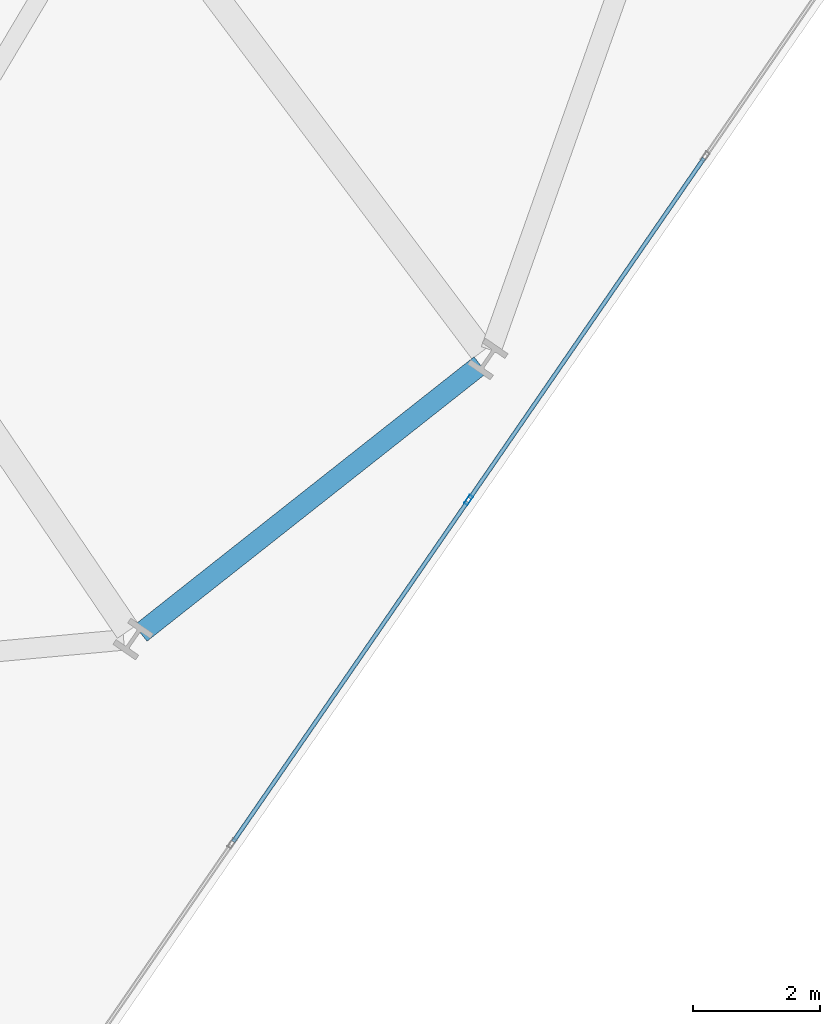
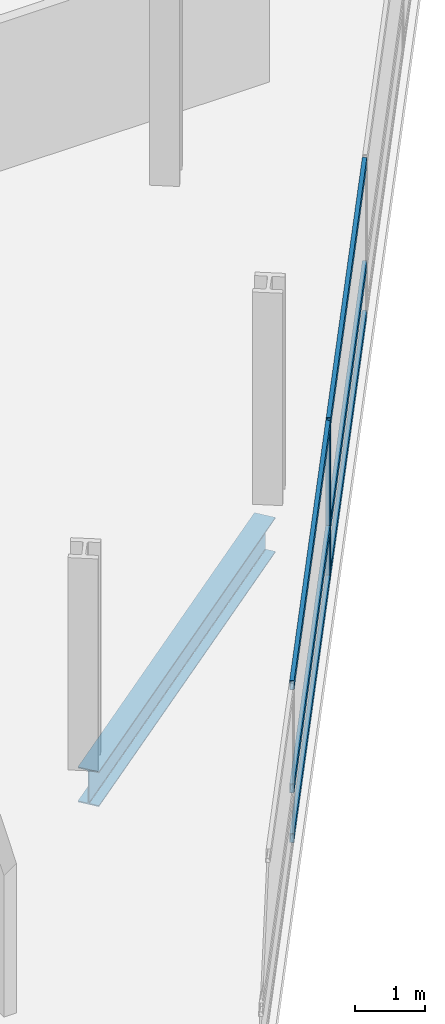
# One storey, part 9 of 26: 7 members, 1 beam, 1 element without a shape of its own.
"""IFC4 building model written with IfcOpenShell, lengths in metres."""

import ifcopenshell
import ifcopenshell.guid

model = None  # the IFC model being written
_history = None  # IfcOwnerHistory: only IFC2X3 demands one
_inside = {}  # id of a spatial element -> (the spatial element, [elements in it])
_under = {}  # id of a project, library or spatial element -> (it, [spatial elements below it])
_declared = {}  # id of a project -> (the project, [libraries it declares])
_typed = {}  # id of a type object -> (the type object, [elements of that type])
_made_of = {}  # id of a material, layer set ... -> (it, [elements and type objects made of it])


def new_model(schema):
    """Start an empty IFC model of exactly this schema.

    Asked for "IFC4X3", IfcOpenShell would pick the latest addendum, in which some entities
    have other attributes; the version numbers below select the first issue.
    IFC2X3 requires an IfcOwnerHistory on every rooted entity: one is made here for all.
    """
    global model, _history
    if schema == "IFC4X3":
        model = ifcopenshell.file(schema_version=(4, 3, 0, 0))
    else:
        model = ifcopenshell.file(schema=schema)
    _inside.clear()
    _under.clear()
    _declared.clear()
    _typed.clear()
    _made_of.clear()
    _history = None
    if model.schema == "IFC2X3":
        org = make("IfcOrganization", Name="unknown")
        user = make(
            "IfcPersonAndOrganization",
            ThePerson=make("IfcPerson", FamilyName="unknown"),
            TheOrganization=org,
        )
        app = make(
            "IfcApplication",
            ApplicationDeveloper=org,
            Version="unknown",
            ApplicationFullName="unknown",
            ApplicationIdentifier="unknown",
        )
        _history = make(
            "IfcOwnerHistory",
            OwningUser=user,
            OwningApplication=app,
            ChangeAction="ADDED",
            CreationDate=0,
        )
    return model


def make(cls, **values):
    """One entity of the class cls with the attributes given. An attribute that is None is left unset."""
    return model.create_entity(
        cls, **{name: value for name, value in values.items() if value is not None}
    )


def rooted(cls, **values):
    """An entity with a GlobalId (a new one), such as an element, a storey or a relation."""
    return make(cls, GlobalId=ifcopenshell.guid.new(), OwnerHistory=_history, **values)


def si_unit(unit_type, name, prefix=None):
    """IfcSIUnit, for example si_unit("LENGTHUNIT", "METRE", prefix="MILLI")."""
    return make("IfcSIUnit", UnitType=unit_type, Prefix=prefix, Name=name)


def assignment(units):
    """IfcUnitAssignment: the units of a project."""
    return None if units is None else make("IfcUnitAssignment", Units=units)


def point(xyz):
    """IfcCartesianPoint."""
    return None if xyz is None else make("IfcCartesianPoint", Coordinates=xyz)


def direction(xyz):
    """IfcDirection."""
    return None if xyz is None else make("IfcDirection", DirectionRatios=xyz)


def frame(location, z_axis=None, x_axis=None):
    """IfcAxis2Placement3D, a coordinate frame: its origin and axes. An axis left out is left unset."""
    return make(
        "IfcAxis2Placement3D",
        Location=point(location),
        Axis=direction(z_axis),
        RefDirection=direction(x_axis),
    )


def frame_2d(location, x_axis=None):
    """IfcAxis2Placement2D, a coordinate frame in the plane: its origin and x axis."""
    return make(
        "IfcAxis2Placement2D", Location=point(location), RefDirection=direction(x_axis)
    )


def origin():
    """The frame at (0, 0, 0) with its axes left unset."""
    return frame((0.0, 0.0, 0.0))


def origin_2d():
    """The frame at (0, 0) in the plane with its x axis left unset."""
    return frame_2d((0.0, 0.0))


def place(relative_to, where):
    """IfcLocalPlacement: puts the frame where relative to a parent placement (None: the world)."""
    return make(
        "IfcLocalPlacement", PlacementRelTo=relative_to, RelativePlacement=where
    )


def context(
    kind, dimensions, precision=None, world=None, true_north=None, identifier=None
):
    """IfcGeometricRepresentationContext, for example the 3D "Model" context."""
    return make(
        "IfcGeometricRepresentationContext",
        ContextIdentifier=identifier,
        ContextType=kind,
        CoordinateSpaceDimension=dimensions,
        Precision=precision,
        WorldCoordinateSystem=world,
        TrueNorth=true_north,
    )


def subcontext(parent, identifier, kind, view, scale=None):
    """IfcGeometricRepresentationSubContext, for example "Body" below "Model"."""
    return make(
        "IfcGeometricRepresentationSubContext",
        ContextIdentifier=identifier,
        ContextType=kind,
        ParentContext=parent,
        TargetScale=scale,
        TargetView=view,
    )


def project(units=None, contexts=None):
    """IfcProject with its units and contexts."""
    return rooted(
        "IfcProject",
        Name="project",
        RepresentationContexts=contexts,
        UnitsInContext=assignment(units),
    )


def spatial(cls, under=None, at=None, **own):
    """A site, building, storey or space (cls), placed at a placement, below another one or the project."""
    s = rooted(cls, ObjectPlacement=at, **own)
    if under is not None:
        _under.setdefault(under.id(), (under, []))[1].append(s)
    return s


def profile(cls, at=None, kind="AREA", **sizes):
    """A parametric profile (cls). Its sizes go by their IFC names, for example OverallWidth=200.0."""
    return make(cls, ProfileType=kind, Position=at, **sizes)


def hollow_rectangle(**sizes):
    """IfcRectangleHollowProfileDef."""
    return profile("IfcRectangleHollowProfileDef", **sizes)


def i_section(**sizes):
    """IfcIShapeProfileDef."""
    return profile("IfcIShapeProfileDef", **sizes)


def extrude(swept, where, along, depth):
    """IfcExtrudedAreaSolid: the profile swept, set in the frame where, extruded along a direction by depth."""
    return make(
        "IfcExtrudedAreaSolid",
        SweptArea=swept,
        Position=where,
        ExtrudedDirection=direction(along),
        Depth=depth,
    )


def shape(context_of_items, identifier, shape_type, items):
    """IfcShapeRepresentation: the items that make up one representation, for example the "Body"."""
    return make(
        "IfcShapeRepresentation",
        ContextOfItems=context_of_items,
        RepresentationIdentifier=identifier,
        RepresentationType=shape_type,
        Items=items,
    )


def material(Name=None, Category=None):
    """IfcMaterial."""
    return make("IfcMaterial", Name=Name, Category=Category)


def layer(
    of_material, thickness, ventilated=None, Name=None, Category=None, Priority=None
):
    """IfcMaterialLayer: one layer of a wall or slab, of a material (None: an air gap)."""
    return make(
        "IfcMaterialLayer",
        Material=of_material,
        LayerThickness=thickness,
        IsVentilated=ventilated,
        Name=Name,
        Category=Category,
        Priority=Priority,
    )


def layer_set(layers, Name=None):
    """IfcMaterialLayerSet."""
    return make("IfcMaterialLayerSet", MaterialLayers=layers, LayerSetName=Name)


def material_profile(
    of_material, cross_section, Name=None, Category=None, Priority=None
):
    """IfcMaterialProfile: a cross section and its material."""
    return make(
        "IfcMaterialProfile",
        Name=Name,
        Material=of_material,
        Profile=cross_section,
        Priority=Priority,
        Category=Category,
    )


def profile_set(profiles, Name=None, composite=None):
    """IfcMaterialProfileSet."""
    return make(
        "IfcMaterialProfileSet",
        Name=Name,
        MaterialProfiles=profiles,
        CompositeProfile=composite,
    )


def made_of(thing, what):
    """Note that an element or type object is made of a material, layer set ...; save() writes the relation."""
    if what is not None:
        _made_of.setdefault(what.id(), (what, []))[1].append(thing)
    return thing


def type_object(cls, material=None, **own):
    """A type object (cls), such as IfcWallType, which elements share."""
    return made_of(rooted(cls, **own), material)


def element(
    cls,
    number,
    at=None,
    inside=None,
    cuts=None,
    type_object=None,
    material=None,
    context=None,
    identifier="Body",
    shape_type=None,
    held_by="IfcProductDefinitionShape",
    body=None,
    shapes=None,
    **own,
):
    """One element of the class cls, such as IfcWall. Its Tag is "e" and its number.

    at: its placement. inside: the storey or other place that contains it. cuts: it is an
    opening in that element (IfcRelVoidsElement). A single representation is given by context,
    identifier, shape_type and body (its items); several are given by shapes. held_by: the class
    of the entity that holds the representations. save() writes the other relations.
    """
    e = rooted(cls, Tag="e%d" % number, ObjectPlacement=at, **own)
    if body is not None:
        shapes = [shape(context, identifier, shape_type, body)]
    if shapes is not None:
        e.Representation = make(held_by, Representations=shapes)
    if inside is not None:
        _inside.setdefault(inside.id(), (inside, []))[1].append(e)
    if cuts is not None:
        rooted(
            "IfcRelVoidsElement", RelatingBuildingElement=cuts, RelatedOpeningElement=e
        )
    if type_object is not None:
        _typed.setdefault(type_object.id(), (type_object, []))[1].append(e)
    return made_of(e, material)


def aggregate(whole, parts):
    """IfcRelAggregates: a whole, such as a stair, and the parts it consists of."""
    return rooted("IfcRelAggregates", RelatingObject=whole, RelatedObjects=parts)


def save(model, path):
    """Write the relations noted so far, then the file.

    IfcRelAggregates (storeys below a building ...), IfcRelContainedInSpatialStructure (elements
    in a storey), IfcRelDefinesByType, IfcRelAssociatesMaterial and IfcRelDeclares: one each for
    every whole, place, type object, material and project.
    """
    for whole, parts in _under.values():
        aggregate(whole, parts)
    for where, things in _inside.values():
        rooted(
            "IfcRelContainedInSpatialStructure",
            RelatedElements=things,
            RelatingStructure=where,
        )
    for kind, things in _typed.values():
        rooted("IfcRelDefinesByType", RelatedObjects=things, RelatingType=kind)
    for what, things in _made_of.values():
        rooted("IfcRelAssociatesMaterial", RelatedObjects=things, RelatingMaterial=what)
    for by, libraries in _declared.values():
        rooted("IfcRelDeclares", RelatingContext=by, RelatedDefinitions=libraries)
    model.write(path)


model = new_model("IFC4")

# Units and contexts
model_context = context("Model", 3, precision=1e-05, world=origin(), true_north=direction((0.0, 1.0)))
body_context = subcontext(model_context, "Body", "Model", "MODEL_VIEW")
ifc_project = project(units=[si_unit("LENGTHUNIT", "METRE"), si_unit("AREAUNIT", "SQUARE_METRE"), si_unit("VOLUMEUNIT", "CUBIC_METRE"), si_unit("PLANEANGLEUNIT", "RADIAN"), si_unit("MASSUNIT", "GRAM", prefix="KILO")], contexts=[model_context])

# Site, building, storey
site_placement = place(None, origin())
site = spatial("IfcSite", under=ifc_project, at=site_placement, CompositionType="ELEMENT")
building_placement = place(site_placement, origin())
building = spatial("IfcBuilding", under=site, at=building_placement, Name="Varnelok Gate Tower", CompositionType="ELEMENT")
storey_placement = place(building_placement, frame((0.0, 0.0, 45.5)))
storey = spatial("IfcBuildingStorey", under=building, at=storey_placement, Name="L10", CompositionType="ELEMENT", Elevation=45.5)

# Beam
ifc_material_1 = material(Name="Structural Steel ASTM A992 Grade 50", Category="steel")
ifc_material_profile_1 = material_profile(ifc_material_1, i_section(OverallWidth=0.323974609375, OverallDepth=0.611083984375, WebThickness=0.0126953125, FlangeThickness=0.01904296875, FilletRadius=0.01806640625, at=origin_2d()), Name="W24X104")
ifc_profile_set_1 = profile_set([ifc_material_profile_1], Name="Structural Steel ASTM A992 Grade 50")
beam_type = type_object("IfcBeamType", Name="BM-SPN-W24X104", PredefinedType="SPANDREL", material=ifc_profile_set_1)
beam_placement = place(storey_placement, frame((66.202392578125, 1.045654296875, -0.555419921875), z_axis=(0.784860761341, 0.619672159538, 0.0), x_axis=(-0.619672159538, 0.784860761341, 0.0)))
element("IfcBeam", 1, at=beam_placement, inside=storey, type_object=beam_type, Name="L10 Perimeter Spandrel Beam 6", PredefinedType="SPANDREL", context=body_context, shape_type="SweptSolid", body=[
    extrude(i_section(OverallWidth=0.323974609375, OverallDepth=0.611083984375, WebThickness=0.0126953125, FlangeThickness=0.01904296875, FilletRadius=0.01806640625, at=origin_2d()), origin(), (0.0, 0.0, 1.0), 6.81640625),
])

# Curtain wall, members
ifc_material_2 = material(Name="Anodized Aluminum Alloy 6063-T6", Category="aluminium")
ifc_layer = layer(ifc_material_2, 0.179931640625)
ifc_layer_set = layer_set([ifc_layer], Name="Anodized Aluminum Alloy 6063-T6")
curtain_wall_type = type_object("IfcCurtainWallType", Name="CW3-HOTEL-VISION", PredefinedType="USERDEFINED", material=ifc_layer_set)
curtain_wall_placement = place(storey_placement, origin())
curtain_wall = element("IfcCurtainWall", 2, at=curtain_wall_placement, inside=storey, type_object=curtain_wall_type, Name="L10 East End Vision Curtain Wall", ObjectType="UNITISED CURTAIN WALL", PredefinedType="USERDEFINED")
ifc_material_profile_2 = material_profile(ifc_material_2, hollow_rectangle(XDim=0.06494140625, YDim=0.159912109375, WallThickness=0.00390625, at=origin_2d()), Name="ALU160X65X4")
ifc_profile_set_2 = profile_set([ifc_material_profile_2], Name="Anodized Aluminum Alloy 6063-T6")
member_type_1 = type_object("IfcMemberType", Name="CW-MULL-160", PredefinedType="MULLION", material=ifc_profile_set_2)
member_1_placement = place(storey_placement, frame((71.3671875, 3.142578125, 0.0), z_axis=(0.0, 0.0, 1.0), x_axis=(0.823532685111, -0.567268822124, 0.0)))
member_1 = element("IfcMember", 3, at=member_1_placement, type_object=member_type_1, Name="CW3 mullion 4", PredefinedType="MULLION", context=body_context, shape_type="SweptSolid", body=[
    extrude(hollow_rectangle(XDim=0.06494140625, YDim=0.159912109375, WallThickness=0.00390625, at=origin_2d()), origin(), (0.0, 0.0, 1.0), 2.72998046875),
])
ifc_material_profile_3 = material_profile(ifc_material_2, hollow_rectangle(XDim=0.06494140625, YDim=0.159912109375, WallThickness=0.00390625, at=origin_2d()), Name="ALU160X65X4")
ifc_profile_set_3 = profile_set([ifc_material_profile_3], Name="Anodized Aluminum Alloy 6063-T6")
member_type_2 = type_object("IfcMemberType", Name="CW-TRAN-160", PredefinedType="USERDEFINED", material=ifc_profile_set_3)
member_2_placement = place(storey_placement, frame((75.07373046875, 8.523681640625, 0.032470703125), z_axis=(-0.56723619486, -0.82355515859, 0.0), x_axis=(0.82355515859, -0.56723619486, 0.0)))
member_2 = element("IfcMember", 4, at=member_2_placement, type_object=member_type_2, Name="CW3 transom 3.1", ObjectType="TRANSOM", PredefinedType="USERDEFINED", context=body_context, shape_type="SweptSolid", body=[
    extrude(hollow_rectangle(XDim=0.06494140625, YDim=0.159912109375, WallThickness=0.00390625, at=origin_2d()), origin(), (0.0, 0.0, 1.0), 6.501708984375),
])
member_3_placement = place(storey_placement, frame((75.07373046875, 8.523681640625, 0.89990234375), z_axis=(-0.56723619486, -0.82355515859, 0.0), x_axis=(0.82355515859, -0.56723619486, 0.0)))
member_3 = element("IfcMember", 5, at=member_3_placement, type_object=member_type_2, Name="CW3 transom 3.2", ObjectType="TRANSOM", PredefinedType="USERDEFINED", context=body_context, shape_type="SweptSolid", body=[
    extrude(hollow_rectangle(XDim=0.06494140625, YDim=0.159912109375, WallThickness=0.00390625, at=origin_2d()), origin(), (0.0, 0.0, 1.0), 6.501708984375),
])
member_4_placement = place(storey_placement, frame((75.07373046875, 8.523681640625, 2.697509765625), z_axis=(-0.56723619486, -0.82355515859, 0.0), x_axis=(0.82355515859, -0.56723619486, 0.0)))
member_4 = element("IfcMember", 6, at=member_4_placement, type_object=member_type_2, Name="CW3 transom 3.3", ObjectType="TRANSOM", PredefinedType="USERDEFINED", context=body_context, shape_type="SweptSolid", body=[
    extrude(hollow_rectangle(XDim=0.06494140625, YDim=0.159912109375, WallThickness=0.00390625, at=origin_2d()), origin(), (0.0, 0.0, 1.0), 6.501708984375),
])
member_5_placement = place(storey_placement, frame((71.348876953125, 3.11572265625, 0.032470703125), z_axis=(-0.567279204469, -0.823525533409, 0.0), x_axis=(0.823525533409, -0.567279204469, 0.0)))
member_5 = element("IfcMember", 7, at=member_5_placement, type_object=member_type_2, Name="CW3 transom 4.1", ObjectType="TRANSOM", PredefinedType="USERDEFINED", context=body_context, shape_type="SweptSolid", body=[
    extrude(hollow_rectangle(XDim=0.06494140625, YDim=0.159912109375, WallThickness=0.00390625, at=origin_2d()), origin(), (0.0, 0.0, 1.0), 6.501708984375),
])
member_6_placement = place(storey_placement, frame((71.348876953125, 3.11572265625, 0.89990234375), z_axis=(-0.567279204469, -0.823525533409, 0.0), x_axis=(0.823525533409, -0.567279204469, 0.0)))
member_6 = element("IfcMember", 8, at=member_6_placement, type_object=member_type_2, Name="CW3 transom 4.2", ObjectType="TRANSOM", PredefinedType="USERDEFINED", context=body_context, shape_type="SweptSolid", body=[
    extrude(hollow_rectangle(XDim=0.06494140625, YDim=0.159912109375, WallThickness=0.00390625, at=origin_2d()), origin(), (0.0, 0.0, 1.0), 6.501708984375),
])
member_7_placement = place(storey_placement, frame((71.348876953125, 3.11572265625, 2.697509765625), z_axis=(-0.567279204469, -0.823525533409, 0.0), x_axis=(0.823525533409, -0.567279204469, 0.0)))
member_7 = element("IfcMember", 9, at=member_7_placement, type_object=member_type_2, Name="CW3 transom 4.3", ObjectType="TRANSOM", PredefinedType="USERDEFINED", context=body_context, shape_type="SweptSolid", body=[
    extrude(hollow_rectangle(XDim=0.06494140625, YDim=0.159912109375, WallThickness=0.00390625, at=origin_2d()), origin(), (0.0, 0.0, 1.0), 6.501708984375),
])
aggregate(curtain_wall, [member_1, member_2, member_3, member_4, member_5, member_6, member_7])

save(model, "model.ifc")
